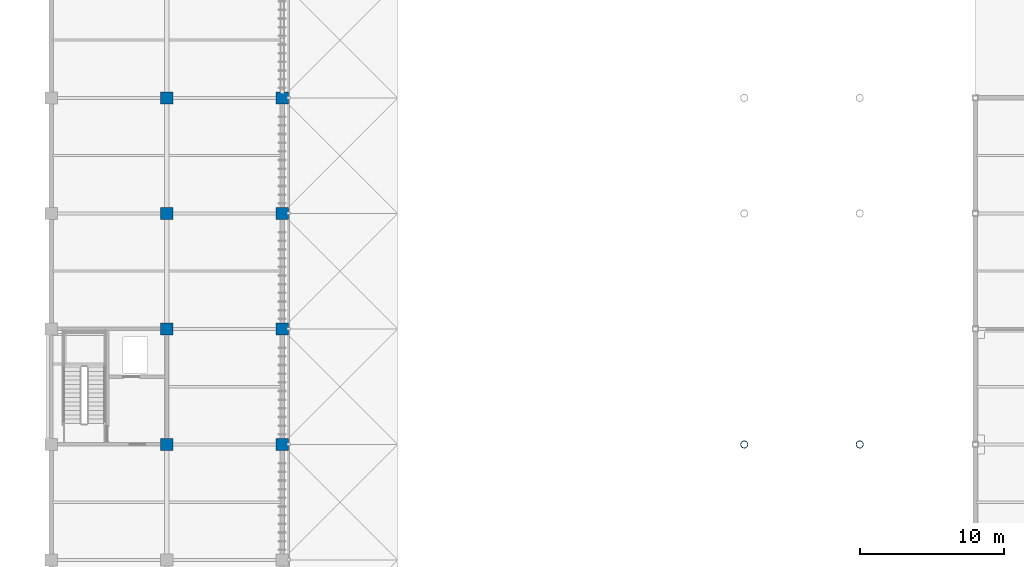
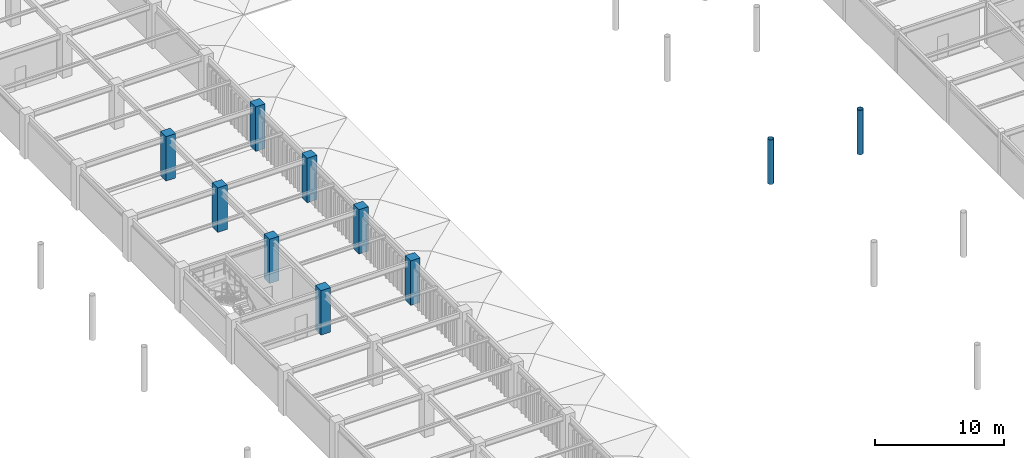
# One storey, part 12 of 78: 10 columns.
"""IFC4 building model written with IfcOpenShell, lengths in metres."""

from ifc_helpers import new_model, si_unit, direction, frame, origin, origin_2d, place, context, subcontext, project, spatial, rectangle, hollow_circle, extrude, material, material_profile, profile_set, type_object, element, save


model = new_model("IFC4")

# Units and contexts
model_context = context("Model", 3, precision=1e-05, world=origin(), true_north=direction((0.0, 1.0)))
body_context = subcontext(model_context, "Body", "Model", "MODEL_VIEW")
ifc_project = project(units=[si_unit("LENGTHUNIT", "METRE"), si_unit("AREAUNIT", "SQUARE_METRE"), si_unit("VOLUMEUNIT", "CUBIC_METRE"), si_unit("PLANEANGLEUNIT", "RADIAN"), si_unit("MASSUNIT", "GRAM", prefix="KILO")], contexts=[model_context])

# Site, building, storey
site_placement = place(None, origin())
site = spatial("IfcSite", under=ifc_project, at=site_placement, CompositionType="ELEMENT")
building_placement = place(site_placement, origin())
building = spatial("IfcBuilding", under=site, at=building_placement, Name="Haebicheon Civic Stadium", CompositionType="ELEMENT")
storey_placement = place(building_placement, frame((0.0, 0.0, 18.60009765625)))
storey = spatial("IfcBuildingStorey", under=building, at=storey_placement, Name="L05", CompositionType="ELEMENT", Elevation=18.60009765625)

# Columns
ifc_material_1 = material(Name="Concrete C40/50", Category="concrete")
ifc_material_profile_1 = material_profile(ifc_material_1, rectangle(XDim=0.85009765625, YDim=0.85009765625, at=origin_2d()), Name="RC-COL-850x850")
ifc_profile_set_1 = profile_set([ifc_material_profile_1], Name="Concrete C40/50")
column_type_1 = type_object("IfcColumnType", Name="COL-RC-850", PredefinedType="COLUMN", material=ifc_profile_set_1)
for number, where, z_axis, x_axis, name in (
    (1, (152.0, 104.0, 0.0), (0.0, 0.0, 1.0), (1.0, 0.0, 0.0), "L05 column 20/P"),
    (2, (152.0, 112.0, 0.0), (0.0, 0.0, 1.0), (1.0, 0.0, 0.0), "L05 column 20/Q"),
    (3, (152.0, 120.0, 0.0), (0.0, 0.0, 1.0), (1.0, 0.0, 0.0), "L05 column 20/R"),
    (4, (152.0, 128.0, 0.0), (0.0, 0.0, 1.0), (1.0, 0.0, 0.0), "L05 column 20/S"),
    (5, (160.0, 104.0, 0.0), (0.0, 0.0, 1.0), (1.0, 0.0, 0.0), "L05 column 21/P"),
    (6, (160.0, 112.0, 0.0), (0.0, 0.0, 1.0), (1.0, 0.0, 0.0), "L05 column 21/Q"),
    (7, (160.0, 120.0, 0.0), (0.0, 0.0, 1.0), (1.0, 0.0, 0.0), "L05 column 21/R"),
    (8, (160.0, 128.0, 0.0), (0.0, 0.0, 1.0), (1.0, 0.0, 0.0), "L05 column 21/S"),
):
    element("IfcColumn", number, at=place(storey_placement, frame(where, z_axis=z_axis, x_axis=x_axis)), inside=storey, type_object=column_type_1, material=ifc_profile_set_1, Name=name, PredefinedType="COLUMN", context=body_context, shape_type="SweptSolid", body=[
        extrude(rectangle(XDim=0.85009765625, YDim=0.85009765625, at=origin_2d()), origin(), (0.0, 0.0, 1.0), 4.199951171875),
    ])
ifc_material_2 = material(Name="White painted steel SM490", Category="steel")
ifc_material_profile_2 = material_profile(ifc_material_2, hollow_circle(Radius=0.25390625, WallThickness=0.02490234375, at=origin_2d()), Name="CHS-508.0x25.0")
ifc_profile_set_2 = profile_set([ifc_material_profile_2], Name="White painted steel SM490")
column_type_2 = type_object("IfcColumnType", Name="COL-ST-CHS508", PredefinedType="COLUMN", material=ifc_profile_set_2)
for number, where, z_axis, x_axis, name in (
    (9, (200.0, 104.0, 0.0), (0.0, 0.0, 1.0), (1.0, 0.0, 0.0), "Bowl/canopy support column 200/104 (L05)"),
    (10, (192.0, 104.0, 0.0), (0.0, 0.0, 1.0), (1.0, 0.0, 0.0), "Bowl/canopy support column 192/104 (L05)"),
):
    element("IfcColumn", number, at=place(storey_placement, frame(where, z_axis=z_axis, x_axis=x_axis)), inside=storey, type_object=column_type_2, material=ifc_profile_set_2, Name=name, PredefinedType="COLUMN", context=body_context, shape_type="SweptSolid", body=[
        extrude(hollow_circle(Radius=0.25390625, WallThickness=0.02490234375, at=origin_2d()), origin(), (0.0, 0.0, 1.0), 4.199951171875),
    ])

save(model, "model.ifc")
